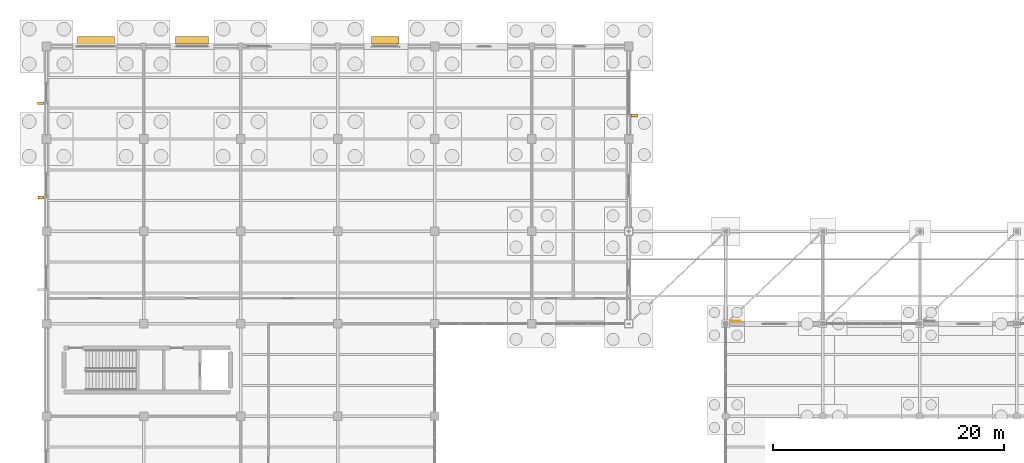
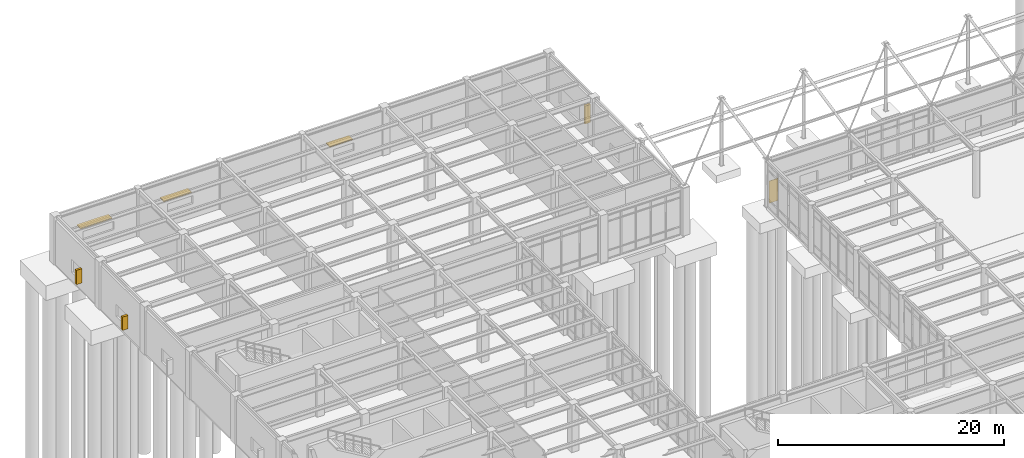
# One storey, part 131 of 138: 6 shading devices, 1 covering.
"""IFC4 building model written with IfcOpenShell, lengths in metres."""

from ifc_helpers import new_model, si_unit, direction, frame, origin, origin_2d, place, context, subcontext, project, spatial, rectangle, extrude, material, layer, layer_set, type_object, element, save


model = new_model("IFC4")

# Units and contexts
model_context = context("Model", 3, precision=1e-05, world=origin(), true_north=direction((0.0, 1.0)))
body_context = subcontext(model_context, "Body", "Model", "MODEL_VIEW")
ifc_project = project(units=[si_unit("LENGTHUNIT", "METRE"), si_unit("AREAUNIT", "SQUARE_METRE"), si_unit("VOLUMEUNIT", "CUBIC_METRE"), si_unit("PLANEANGLEUNIT", "RADIAN"), si_unit("MASSUNIT", "GRAM", prefix="KILO")], contexts=[model_context])

# Site, building, storey
site_placement = place(None, origin())
site = spatial("IfcSite", under=ifc_project, at=site_placement, CompositionType="ELEMENT")
building_placement = place(site_placement, origin())
building = spatial("IfcBuilding", under=site, at=building_placement, Name="Kranzveld Transit Interchange", CompositionType="ELEMENT")
storey_placement = place(building_placement, origin())
storey = spatial("IfcBuildingStorey", under=building, at=storey_placement, Name="L00", CompositionType="ELEMENT", Elevation=0.0)

# Shading devices
ifc_material_1 = material(Name="Bronze-anodised thermally broken aluminium", Category="aluminium")
shading_device_type_1 = type_object("IfcShadingDeviceType", Name="East-West Deep Clinker Solar Fin", PredefinedType="USERDEFINED", material=ifc_material_1)
shading_device_1_placement = place(storey_placement, frame((-0.47998046875, 98.93994140625, 0.8251953125), z_axis=(0.0, 0.0, 1.0), x_axis=(0.0, 1.0, 0.0)))
element("IfcShadingDevice", 1, at=shading_device_1_placement, inside=storey, type_object=shading_device_type_1, Name="L00 Vertical Solar Fin 01/N", ObjectType="SOLAR FIN", PredefinedType="USERDEFINED", context=body_context, shape_type="SweptSolid", body=[
    extrude(rectangle(XDim=0.239990234375, YDim=0.550048828125, at=origin_2d()), origin(), (0.0, 0.0, 1.0), 1.449951171875),
])
shading_device_2_placement = place(storey_placement, frame((-0.4951171875, 107.090087890625, 0.8251953125), z_axis=(0.0, 0.0, 1.0), x_axis=(0.0, 1.0, 0.0)))
element("IfcShadingDevice", 2, at=shading_device_2_placement, inside=storey, type_object=shading_device_type_1, Name="L00 Vertical Solar Fin 01/P", ObjectType="SOLAR FIN", PredefinedType="USERDEFINED", context=body_context, shape_type="SweptSolid", body=[
    extrude(rectangle(XDim=0.239990234375, YDim=0.550048828125, at=origin_2d()), origin(), (0.0, 0.0, 1.0), 1.550048828125),
])
shading_device_3_placement = place(storey_placement, frame((50.8798828125, 106.0400390625, 0.8251953125), z_axis=(0.0, 0.0, 1.0), x_axis=(0.0, 1.0, 0.0)))
element("IfcShadingDevice", 3, at=shading_device_3_placement, inside=storey, type_object=shading_device_type_1, Name="L00 Vertical Solar Fin 07/P", ObjectType="SOLAR FIN", PredefinedType="USERDEFINED", context=body_context, shape_type="SweptSolid", body=[
    extrude(rectangle(XDim=0.239990234375, YDim=0.550048828125, at=origin_2d()), origin(), (0.0, 0.0, 1.0), 1.949951171875),
])
ifc_material_2 = material(Name="Bronze-anodised thermally broken aluminium", Category="aluminium")
shading_device_type_2 = type_object("IfcShadingDeviceType", Name="North Overhang Solar Louvre Brise-Soleil", PredefinedType="JALOUSIE", material=ifc_material_2)
shading_device_4_placement = place(storey_placement, frame((4.27490234375, 112.530029296875, 2.449951171875), z_axis=(0.0, 0.0, 1.0), x_axis=(1.0, 0.0, 0.0)))
element("IfcShadingDevice", 4, at=shading_device_4_placement, inside=storey, type_object=shading_device_type_2, Name="L00 North Solar Louvre 01/Q", PredefinedType="JALOUSIE", context=body_context, shape_type="SweptSolid", body=[
    extrude(rectangle(XDim=3.199951171875, YDim=0.64990234375, at=origin_2d()), origin(), (0.0, 0.0, 1.0), 0.1201171875),
])
shading_device_5_placement = place(storey_placement, frame((12.60009765625, 112.544921875, 2.39990234375), z_axis=(0.0, 0.0, 1.0), x_axis=(1.0, 0.0, 0.0)))
element("IfcShadingDevice", 5, at=shading_device_5_placement, inside=storey, type_object=shading_device_type_2, Name="L00 North Solar Louvre 02/Q", PredefinedType="JALOUSIE", context=body_context, shape_type="SweptSolid", body=[
    extrude(rectangle(XDim=2.85009765625, YDim=0.64990234375, at=origin_2d()), origin(), (0.0, 0.0, 1.0), 0.1201171875),
])
shading_device_6_placement = place(storey_placement, frame((29.324951171875, 112.544921875, 2.349853515625), z_axis=(0.0, 0.0, 1.0), x_axis=(1.0, 0.0, 0.0)))
element("IfcShadingDevice", 6, at=shading_device_6_placement, inside=storey, type_object=shading_device_type_2, Name="L00 North Solar Louvre 04/Q", PredefinedType="JALOUSIE", context=body_context, shape_type="SweptSolid", body=[
    extrude(rectangle(XDim=2.35009765625, YDim=0.64990234375, at=origin_2d()), origin(), (0.0, 0.0, 1.0), 0.1201171875),
])

# Covering
ifc_material_3 = material(Name="Ochre Pretoria sandstone cladding, 45 MPa", Category="masonry")
ifc_layer = layer(ifc_material_3, 0.044921875)
ifc_layer_set = layer_set([ifc_layer], Name="Ochre Pretoria sandstone cladding, 45 MPa")
covering_type = type_object("IfcCoveringType", Name="Ochre Pretoria Sandstone Pier Cladding 45", PredefinedType="CLADDING", material=ifc_layer_set)
covering_placement = place(storey_placement, frame((59.627685546875, 88.242431640625, 0.0), z_axis=(0.0, 0.0, 1.0), x_axis=(1.0, 0.0, 0.0)))
element("IfcCovering", 7, at=covering_placement, inside=storey, type_object=covering_type, Name="L00 Sandstone Plinth Cladding 02", PredefinedType="CLADDING", context=body_context, shape_type="SweptSolid", body=[
    extrude(rectangle(XDim=0.89990234375, YDim=0.044921875, at=origin_2d()), origin(), (0.0, 0.0, 1.0), 2.39990234375),
])

save(model, "model.ifc")
